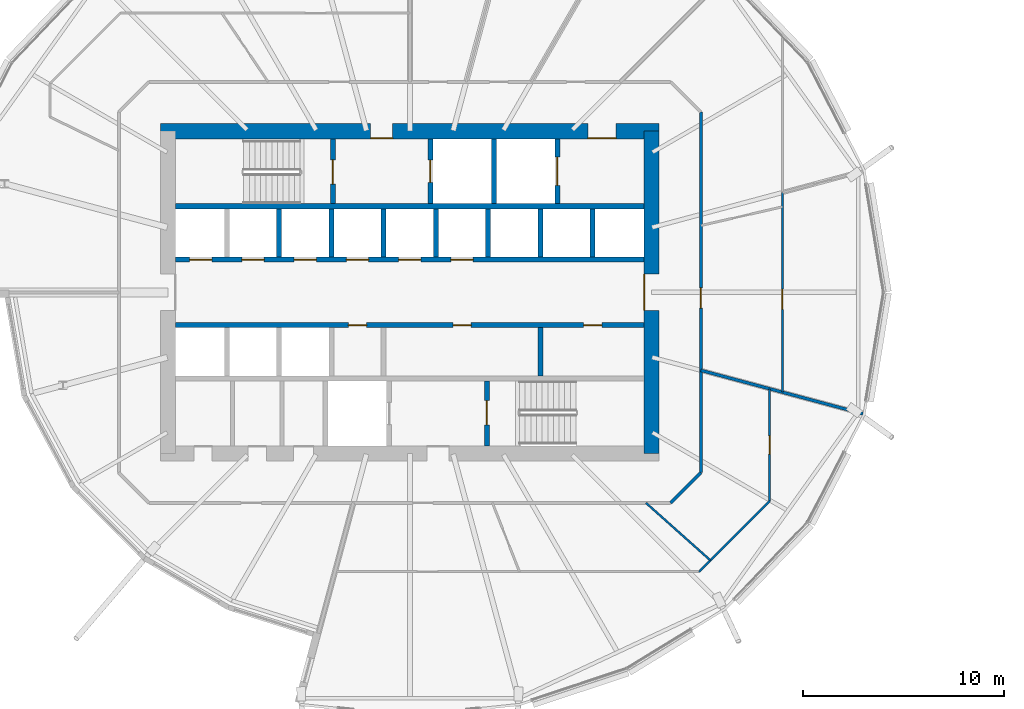
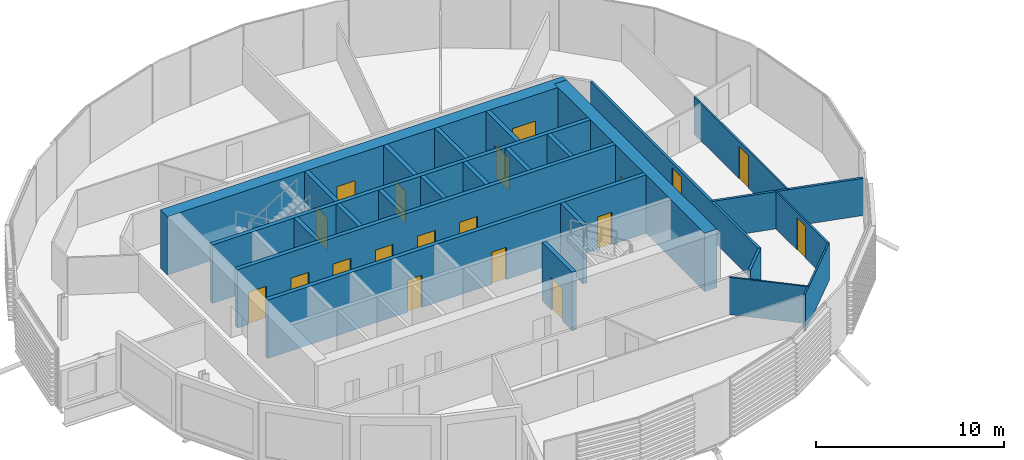
# One storey, part 21 of 39: 25 walls, 19 doors, 19 openings.
"""IFC4 building model written with IfcOpenShell, lengths in metres."""

from ifc_helpers import new_model, si_unit, direction, frame, frame_2d, origin, place, context, subcontext, project, spatial, rectangle, extrude, material, layer, layer_set, type_object, element, fill, save


model = new_model("IFC4")

# Units and contexts
model_context = context("Model", 3, precision=1e-05, world=origin(), true_north=direction((0.0, 1.0)))
body_context = subcontext(model_context, "Body", "Model", "MODEL_VIEW")
ifc_project = project(units=[si_unit("LENGTHUNIT", "METRE"), si_unit("AREAUNIT", "SQUARE_METRE"), si_unit("VOLUMEUNIT", "CUBIC_METRE"), si_unit("PLANEANGLEUNIT", "RADIAN"), si_unit("MASSUNIT", "GRAM", prefix="KILO")], contexts=[model_context])

# Site, building, storey
site_placement = place(None, origin())
site = spatial("IfcSite", under=ifc_project, at=site_placement, CompositionType="ELEMENT")
building_placement = place(site_placement, origin())
building = spatial("IfcBuilding", under=site, at=building_placement, Name="Rimbun Link Towers", CompositionType="ELEMENT")
storey_placement = place(building_placement, frame((0.0, 0.0, 96.800048828125)))
storey = spatial("IfcBuildingStorey", under=building, at=storey_placement, Name="L23", CompositionType="ELEMENT", Elevation=96.800048828125)

# Wall, openings, doors
ifc_material_1 = material(Name="Concrete C60/75", Category="concrete")
ifc_layer_1 = layer(ifc_material_1, 0.75)
ifc_layer_set_1 = layer_set([ifc_layer_1], Name="Core shear wall 750")
wall_type_1 = type_object("IfcWallType", Name="Core shear wall 750", PredefinedType="SHEAR", material=ifc_layer_set_1)
wall_1_placement = place(storey_placement, frame((-44.125, 8.0, 0.0), z_axis=(0.0, 0.0, 1.0), x_axis=(1.0, 0.0, 0.0)))
wall_1 = element("IfcWall", 1, at=wall_1_placement, inside=storey, type_object=wall_type_1, Name="L23 T1 core wall N", PredefinedType="SHEAR", context=body_context, shape_type="SweptSolid", body=[
    extrude(rectangle(XDim=24.75, YDim=0.75, at=frame_2d((12.375, 0.0))), origin(), (0.0, 0.0, 1.0), 3.800048828125),
])
opening_1_placement = place(wall_1_placement, frame((10.425048828125, 0.0, 0.0)))
opening_1 = element("IfcOpeningElement", 2, at=opening_1_placement, cuts=wall_1, Name="Opening C1DCF01N", PredefinedType="OPENING", context=body_context, shape_type="SweptSolid", body=[
    extrude(rectangle(XDim=1.10009765625, YDim=2.10009765625, at=frame_2d((0.550048828125, 1.050048828125))), frame((0.0, 0.385009765625, 0.0), z_axis=(0.0, -1.0, 0.0), x_axis=(1.0, 0.0, 0.0)), (0.0, 0.0, 1.0), 0.77001953125),
])
opening_2_placement = place(wall_1_placement, frame((21.21240234375, 0.0, 0.0)))
opening_2 = element("IfcOpeningElement", 3, at=opening_2_placement, cuts=wall_1, Name="Opening C1DSL02N", PredefinedType="OPENING", context=body_context, shape_type="SweptSolid", body=[
    extrude(rectangle(XDim=1.39990234375, YDim=2.10009765625, at=frame_2d((0.699951171875, 1.050048828125))), frame((0.0, 0.385009765625, 0.0), z_axis=(0.0, -1.0, 0.0), x_axis=(1.0, 0.0, 0.0)), (0.0, 0.0, 1.0), 0.77001953125),
])
ifc_material_2 = material(Name="Steel fire door set", Category="steel")
door_type_1 = type_object("IfcDoorType", Name="Core fire door single", OperationType="SINGLE_SWING_LEFT", PredefinedType="DOOR", material=ifc_material_2)
door_1_placement = place(opening_1_placement, origin())
door_1 = element("IfcDoor", 4, at=door_1_placement, inside=storey, type_object=door_type_1, Name="L23 T1 firefighting lobby n door", OperationType="SINGLE_SWING_LEFT", OverallHeight=2.10009765625, OverallWidth=1.10009765625, PredefinedType="DOOR", context=body_context, shape_type="SweptSolid", body=[
    extrude(rectangle(XDim=1.10009765625, YDim=2.10009765625, at=frame_2d((0.550048828125, 1.050048828125))), frame((0.0, -0.3251953125, 0.0), z_axis=(0.0, -1.0, 0.0), x_axis=(1.0, 0.0, 0.0)), (0.0, 0.0, 1.0), 0.050048828125),
])
fill(opening_1, door_1)
ifc_material_3 = material(Name="Steel fire door set", Category="steel")
door_type_2 = type_object("IfcDoorType", Name="Service lobby door double", OperationType="DOUBLE_DOOR_SINGLE_SWING", PredefinedType="DOOR", material=ifc_material_3)
door_2_placement = place(opening_2_placement, origin())
door_2 = element("IfcDoor", 5, at=door_2_placement, inside=storey, type_object=door_type_2, Name="L23 T1 service lobby door", OperationType="DOUBLE_DOOR_SINGLE_SWING", OverallHeight=2.10009765625, OverallWidth=1.39990234375, PredefinedType="DOOR", context=body_context, shape_type="SweptSolid", body=[
    extrude(rectangle(XDim=1.39990234375, YDim=2.10009765625, at=frame_2d((0.699951171875, 1.050048828125))), frame((0.0, -0.3251953125, 0.0), z_axis=(0.0, -1.0, 0.0), x_axis=(1.0, 0.0, 0.0)), (0.0, 0.0, 1.0), 0.050048828125),
])
fill(opening_2, door_2)

# Wall, opening, door
wall_2_placement = place(storey_placement, frame((-19.75, -8.0, 0.0), z_axis=(0.0, 0.0, 1.0), x_axis=(0.0, 1.0, 0.0)))
wall_2 = element("IfcWall", 6, at=wall_2_placement, inside=storey, type_object=wall_type_1, Name="L23 T1 core wall E", PredefinedType="SHEAR", context=body_context, shape_type="SweptSolid", body=[
    extrude(rectangle(XDim=16.0, YDim=0.75, at=frame_2d((8.0, 0.0))), origin(), (0.0, 0.0, 1.0), 3.800048828125),
])
opening_3_placement = place(wall_2_placement, frame((7.10009765625, 0.0, 0.0)))
opening_3 = element("IfcOpeningElement", 7, at=opening_3_placement, cuts=wall_2, Name="Opening C1DCL01E", PredefinedType="OPENING", context=body_context, shape_type="SweptSolid", body=[
    extrude(rectangle(XDim=1.800048828125, YDim=2.10009765625, at=frame_2d((0.89990234375, 1.050048828125))), frame((0.0, 0.385009765625, 0.0), z_axis=(0.0, -1.0, 0.0), x_axis=(1.0, 0.0, 0.0)), (0.0, 0.0, 1.0), 0.77001953125),
])
ifc_material_4 = material(Name="Steel fire door set", Category="steel")
door_type_3 = type_object("IfcDoorType", Name="Core lobby door double", OperationType="DOUBLE_DOOR_SINGLE_SWING", PredefinedType="DOOR", material=ifc_material_4)
door_3_placement = place(opening_3_placement, origin())
door_3 = element("IfcDoor", 8, at=door_3_placement, inside=storey, type_object=door_type_3, Name="L23 T1 lift lobby door", OperationType="DOUBLE_DOOR_SINGLE_SWING", OverallHeight=2.10009765625, OverallWidth=1.800048828125, PredefinedType="DOOR", context=body_context, shape_type="SweptSolid", body=[
    extrude(rectangle(XDim=1.800048828125, YDim=2.10009765625, at=frame_2d((0.89990234375, 1.050048828125))), frame((0.0, 0.375, 0.0), z_axis=(0.0, -1.0, 0.0), x_axis=(1.0, 0.0, 0.0)), (0.0, 0.0, 1.0), 0.050048828125),
])
fill(opening_3, door_3)

ifc_material_5 = material(Name="Plasterboard on steel stud, mineral wool", Category="steel")
ifc_layer_2 = layer(ifc_material_5, 0.14990234375)
ifc_layer_set_2 = layer_set([ifc_layer_2], Name="Corridor wall EI 30 150 mm")
wall_type_2 = type_object("IfcWallType", Name="Corridor wall EI 30 150 mm", PredefinedType="PARTITIONING", material=ifc_layer_set_2)
wall_3_placement = place(storey_placement, frame((-17.300048828125, 8.95166015625, 0.0), z_axis=(0.0, 0.0, 1.0), x_axis=(0.0, -1.0, 0.0)))
wall_3 = element("IfcWall", 9, at=wall_3_placement, inside=storey, type_object=wall_type_2, Name="Corridor wall EI 30 150 mm", PredefinedType="PARTITIONING", context=body_context, shape_type="SweptSolid", body=[
    extrude(rectangle(XDim=17.9033203125, YDim=0.14990234375, at=frame_2d((8.95166015625, 0.0))), origin(), (0.0, 0.0, 1.0), 2.419921875),
])
opening_4_placement = place(wall_3_placement, frame((8.72900390625, 0.0, 0.0)))
opening_4 = element("IfcOpeningElement", 10, at=opening_4_placement, cuts=wall_3, Name="Opening D01", PredefinedType="OPENING", context=body_context, shape_type="SweptSolid", body=[
    extrude(rectangle(XDim=1.0, YDim=2.10009765625, at=frame_2d((0.5, 1.050048828125))), frame((0.0, 0.0849609375, 0.0), z_axis=(0.0, -1.0, 0.0), x_axis=(1.0, 0.0, 0.0)), (0.0, 0.0, 1.0), 0.169921875),
])
ifc_material_6 = material(Name="Fire-resisting timber door leaf", Category="wood")
door_type_4 = type_object("IfcDoorType", Name="Fire door FD30S 1000", OperationType="NOTDEFINED", PredefinedType="DOOR", material=ifc_material_6)
door_4_placement = place(opening_4_placement, origin())
door_4 = element("IfcDoor", 11, at=door_4_placement, inside=storey, type_object=door_type_4, Name="Fire door FD30S 1000 to Reception", OperationType="SINGLE_SWING_RIGHT", OverallHeight=2.10009765625, OverallWidth=1.0, PredefinedType="DOOR", context=body_context, shape_type="SweptSolid", body=[
    extrude(rectangle(XDim=1.0, YDim=2.10009765625, at=frame_2d((0.5, 1.050048828125))), frame((0.0, 0.02490234375, 0.0), z_axis=(0.0, -1.0, 0.0), x_axis=(1.0, 0.0, 0.0)), (0.0, 0.0, 1.0), 0.050048828125),
])
fill(opening_4, door_4)

# Walls
wall_4_placement = place(storey_placement, frame((-18.79833984375, -10.449951171875, 0.0), z_axis=(0.0, 0.0, 1.0), x_axis=(0.707106781187, 0.707106781187, 0.0)))
element("IfcWall", 12, at=wall_4_placement, inside=storey, type_object=wall_type_2, Name="Corridor wall EI 30 150 mm", PredefinedType="PARTITIONING", context=body_context, shape_type="SweptSolid", body=[
    extrude(rectangle(XDim=2.118896484375, YDim=0.14990234375, at=frame_2d((1.0595703125, 0.0))), origin(), (0.0, 0.0, 1.0), 2.419921875),
])
ifc_material_7 = material(Name="Plasterboard on steel stud", Category="steel")
ifc_layer_3 = layer(ifc_material_7, 0.10009765625)
ifc_layer_set_3 = layer_set([ifc_layer_3], Name="Plasterboard partition 100 mm")
wall_type_3 = type_object("IfcWallType", Name="Plasterboard partition 100 mm", PredefinedType="PARTITIONING", material=ifc_layer_set_3)
wall_5_placement = place(storey_placement, frame((-16.8212890625, -13.3095703125, 0.0), z_axis=(0.0, 0.0, 1.0), x_axis=(-0.746427378028, 0.665466880716, 0.0)))
element("IfcWall", 13, at=wall_5_placement, inside=storey, type_object=wall_type_3, Name="Plasterboard partition 100 mm", PredefinedType="PARTITIONING", context=body_context, shape_type="SweptSolid", body=[
    extrude(rectangle(XDim=4.297119140625, YDim=0.10009765625, at=frame_2d((2.1484375, 0.0))), origin(), (0.0, 0.0, 1.0), 2.419921875),
])
wall_6_placement = place(storey_placement, frame((-17.381591796875, -13.8701171875, 0.0), z_axis=(0.0, 0.0, 1.0), x_axis=(0.707008174748, 0.707205373876, 0.0)))
element("IfcWall", 14, at=wall_6_placement, inside=storey, type_object=wall_type_3, Name="Plasterboard partition 100 mm", PredefinedType="PARTITIONING", context=body_context, shape_type="SweptSolid", body=[
    extrude(rectangle(XDim=4.9521484375, YDim=0.10009765625, at=frame_2d((2.47607421875, 0.0))), origin(), (0.0, 0.0, 1.0), 2.419921875),
])

# Wall, opening, door
wall_7_placement = place(storey_placement, frame((-13.8798828125, -10.368408203125, 0.0), z_axis=(0.0, 0.0, 1.0), x_axis=(0.0, 1.0, 0.0)))
wall_7 = element("IfcWall", 15, at=wall_7_placement, inside=storey, type_object=wall_type_3, Name="Plasterboard partition 100 mm", PredefinedType="PARTITIONING", context=body_context, shape_type="SweptSolid", body=[
    extrude(rectangle(XDim=5.580322265625, YDim=0.10009765625, at=frame_2d((2.7900390625, 0.0))), origin(), (0.0, 0.0, 1.0), 2.419921875),
])
opening_5_placement = place(wall_7_placement, frame((2.340087890625, 0.0, 0.0)))
opening_5 = element("IfcOpeningElement", 16, at=opening_5_placement, cuts=wall_7, Name="Opening D04", PredefinedType="OPENING", context=body_context, shape_type="SweptSolid", body=[
    extrude(rectangle(XDim=0.89990234375, YDim=2.10009765625, at=frame_2d((0.449951171875, 1.050048828125))), frame((0.0, 0.06005859375, 0.0), z_axis=(0.0, -1.0, 0.0), x_axis=(1.0, 0.0, 0.0)), (0.0, 0.0, 1.0), 0.1201171875),
])
ifc_material_8 = material(Name="Timber door leaf", Category="wood")
door_type_5 = type_object("IfcDoorType", Name="Flush door 900", OperationType="NOTDEFINED", PredefinedType="DOOR", material=ifc_material_8)
door_5_placement = place(opening_5_placement, origin())
door_5 = element("IfcDoor", 17, at=door_5_placement, inside=storey, type_object=door_type_5, Name="Flush door 900 to Print room", OperationType="SINGLE_SWING_LEFT", OverallHeight=2.10009765625, OverallWidth=0.89990234375, PredefinedType="DOOR", context=body_context, shape_type="SweptSolid", body=[
    extrude(rectangle(XDim=0.89990234375, YDim=2.10009765625, at=frame_2d((0.449951171875, 1.050048828125))), frame((0.0, 0.02490234375, 0.0), z_axis=(0.0, -1.0, 0.0), x_axis=(1.0, 0.0, 0.0)), (0.0, 0.0, 1.0), 0.050048828125),
])
fill(opening_5, door_5)

wall_8_placement = place(storey_placement, frame((-13.25, 4.95703125, 0.0), z_axis=(0.0, 0.0, 1.0), x_axis=(0.0, -1.0, 0.0)))
wall_8 = element("IfcWall", 18, at=wall_8_placement, inside=storey, type_object=wall_type_3, Name="Plasterboard partition 100 mm", PredefinedType="PARTITIONING", context=body_context, shape_type="SweptSolid", body=[
    extrude(rectangle(XDim=9.9140625, YDim=0.10009765625, at=frame_2d((4.95703125, 0.0))), origin(), (0.0, 0.0, 1.0), 2.419921875),
])
opening_6_placement = place(wall_8_placement, frame((4.797119140625, 0.0, 0.0)))
opening_6 = element("IfcOpeningElement", 19, at=opening_6_placement, cuts=wall_8, Name="Opening D03", PredefinedType="OPENING", context=body_context, shape_type="SweptSolid", body=[
    extrude(rectangle(XDim=1.0, YDim=2.10009765625, at=frame_2d((0.5, 1.050048828125))), frame((0.0, 0.06005859375, 0.0), z_axis=(0.0, -1.0, 0.0), x_axis=(1.0, 0.0, 0.0)), (0.0, 0.0, 1.0), 0.1201171875),
])
ifc_material_9 = material(Name="Timber door leaf", Category="wood")
door_type_6 = type_object("IfcDoorType", Name="Flush door 1000", OperationType="NOTDEFINED", PredefinedType="DOOR", material=ifc_material_9)
door_6_placement = place(opening_6_placement, origin())
door_6 = element("IfcDoor", 20, at=door_6_placement, inside=storey, type_object=door_type_6, Name="Flush door 1000 to Boardroom", OperationType="SINGLE_SWING_LEFT", OverallHeight=2.10009765625, OverallWidth=1.0, PredefinedType="DOOR", context=body_context, shape_type="SweptSolid", body=[
    extrude(rectangle(XDim=1.0, YDim=2.10009765625, at=frame_2d((0.5, 1.050048828125))), frame((0.0, 0.02490234375, 0.0), z_axis=(0.0, -1.0, 0.0), x_axis=(1.0, 0.0, 0.0)), (0.0, 0.0, 1.0), 0.050048828125),
])
fill(opening_6, door_6)

# Wall
ifc_material_10 = material(Name="Concrete C60/75", Category="concrete")
ifc_layer_4 = layer(ifc_material_10, 0.25)
ifc_layer_set_4 = layer_set([ifc_layer_4], Name="Shaft wall 250")
wall_type_4 = type_object("IfcWallType", Name="Shaft wall 250", PredefinedType="SHEAR", material=ifc_layer_set_4)
wall_9_placement = place(storey_placement, frame((-43.375, 4.27490234375, 0.0), z_axis=(0.0, 0.0, 1.0), x_axis=(1.0, 0.0, 0.0)))
element("IfcWall", 21, at=wall_9_placement, inside=storey, type_object=wall_type_4, Name="L23 T1 core wall BN", PredefinedType="SHEAR", context=body_context, shape_type="SweptSolid", body=[
    extrude(rectangle(XDim=23.25, YDim=0.25, at=frame_2d((11.625, 0.0))), origin(), (0.0, 0.0, 1.0), 3.800048828125),
])

# Wall, openings, doors
wall_10_placement = place(storey_placement, frame((-43.375, 1.625, 0.0), z_axis=(0.0, 0.0, 1.0), x_axis=(1.0, 0.0, 0.0)))
wall_10 = element("IfcWall", 22, at=wall_10_placement, inside=storey, type_object=wall_type_4, Name="L23 T1 core wall FN", PredefinedType="SHEAR", context=body_context, shape_type="SweptSolid", body=[
    extrude(rectangle(XDim=23.25, YDim=0.25, at=frame_2d((11.625, 0.0))), origin(), (0.0, 0.0, 1.0), 3.800048828125),
])
opening_7_placement = place(wall_10_placement, frame((0.697265625, 0.0, 0.0)))
opening_7 = element("IfcOpeningElement", 23, at=opening_7_placement, cuts=wall_10, Name="Opening LD-T1-LR1", PredefinedType="OPENING", context=body_context, shape_type="SweptSolid", body=[
    extrude(rectangle(XDim=1.10009765625, YDim=2.10009765625, at=frame_2d((0.550048828125, 1.050048828125))), frame((0.0, 0.135009765625, 0.0), z_axis=(0.0, -1.0, 0.0), x_axis=(1.0, 0.0, 0.0)), (0.0, 0.0, 1.0), 0.27001953125),
])
opening_8_placement = place(wall_10_placement, frame((3.291748046875, 0.0, 0.0)))
opening_8 = element("IfcOpeningElement", 24, at=opening_8_placement, cuts=wall_10, Name="Opening LD-T1-LR2", PredefinedType="OPENING", context=body_context, shape_type="SweptSolid", body=[
    extrude(rectangle(XDim=1.10009765625, YDim=2.10009765625, at=frame_2d((0.550048828125, 1.050048828125))), frame((0.0, 0.135009765625, 0.0), z_axis=(0.0, -1.0, 0.0), x_axis=(1.0, 0.0, 0.0)), (0.0, 0.0, 1.0), 0.27001953125),
])
opening_9_placement = place(wall_10_placement, frame((5.885986328125, 0.0, 0.0)))
opening_9 = element("IfcOpeningElement", 25, at=opening_9_placement, cuts=wall_10, Name="Opening LD-T1-LR3", PredefinedType="OPENING", context=body_context, shape_type="SweptSolid", body=[
    extrude(rectangle(XDim=1.10009765625, YDim=2.10009765625, at=frame_2d((0.550048828125, 1.050048828125))), frame((0.0, 0.135009765625, 0.0), z_axis=(0.0, -1.0, 0.0), x_axis=(1.0, 0.0, 0.0)), (0.0, 0.0, 1.0), 0.27001953125),
])
opening_10_placement = place(wall_10_placement, frame((8.480712890625, 0.0, 0.0)))
opening_10 = element("IfcOpeningElement", 26, at=opening_10_placement, cuts=wall_10, Name="Opening LD-T1-LR4", PredefinedType="OPENING", context=body_context, shape_type="SweptSolid", body=[
    extrude(rectangle(XDim=1.10009765625, YDim=2.10009765625, at=frame_2d((0.550048828125, 1.050048828125))), frame((0.0, 0.135009765625, 0.0), z_axis=(0.0, -1.0, 0.0), x_axis=(1.0, 0.0, 0.0)), (0.0, 0.0, 1.0), 0.27001953125),
])
opening_11_placement = place(wall_10_placement, frame((11.074951171875, 0.0, 0.0)))
opening_11 = element("IfcOpeningElement", 27, at=opening_11_placement, cuts=wall_10, Name="Opening LD-T1-LR5", PredefinedType="OPENING", context=body_context, shape_type="SweptSolid", body=[
    extrude(rectangle(XDim=1.10009765625, YDim=2.10009765625, at=frame_2d((0.550048828125, 1.050048828125))), frame((0.0, 0.135009765625, 0.0), z_axis=(0.0, -1.0, 0.0), x_axis=(1.0, 0.0, 0.0)), (0.0, 0.0, 1.0), 0.27001953125),
])
opening_12_placement = place(wall_10_placement, frame((13.66943359375, 0.0, 0.0)))
opening_12 = element("IfcOpeningElement", 28, at=opening_12_placement, cuts=wall_10, Name="Opening LD-T1-LR6", PredefinedType="OPENING", context=body_context, shape_type="SweptSolid", body=[
    extrude(rectangle(XDim=1.10009765625, YDim=2.10009765625, at=frame_2d((0.550048828125, 1.050048828125))), frame((0.0, 0.135009765625, 0.0), z_axis=(0.0, -1.0, 0.0), x_axis=(1.0, 0.0, 0.0)), (0.0, 0.0, 1.0), 0.27001953125),
])
ifc_material_11 = material(Name="Stainless steel grade 316", Category="steel")
door_type_7 = type_object("IfcDoorType", Name="Lift landing door", OperationType="DOUBLE_DOOR_SLIDING", PredefinedType="DOOR", material=ifc_material_11)
door_7_placement = place(opening_7_placement, origin())
door_7 = element("IfcDoor", 29, at=door_7_placement, inside=storey, type_object=door_type_7, Name="L23 T1 lift LR1 landing door", OperationType="DOUBLE_DOOR_SLIDING", OverallHeight=2.10009765625, OverallWidth=1.10009765625, PredefinedType="DOOR", context=body_context, shape_type="SweptSolid", body=[
    extrude(rectangle(XDim=1.10009765625, YDim=2.10009765625, at=frame_2d((0.550048828125, 1.050048828125))), frame((0.0, 0.02490234375, 0.0), z_axis=(0.0, -1.0, 0.0), x_axis=(1.0, 0.0, 0.0)), (0.0, 0.0, 1.0), 0.050048828125),
])
fill(opening_7, door_7)
door_8_placement = place(opening_8_placement, origin())
door_8 = element("IfcDoor", 30, at=door_8_placement, inside=storey, type_object=door_type_7, Name="L23 T1 lift LR2 landing door", OperationType="DOUBLE_DOOR_SLIDING", OverallHeight=2.10009765625, OverallWidth=1.10009765625, PredefinedType="DOOR", context=body_context, shape_type="SweptSolid", body=[
    extrude(rectangle(XDim=1.10009765625, YDim=2.10009765625, at=frame_2d((0.550048828125, 1.050048828125))), frame((0.0, 0.02490234375, 0.0), z_axis=(0.0, -1.0, 0.0), x_axis=(1.0, 0.0, 0.0)), (0.0, 0.0, 1.0), 0.050048828125),
])
fill(opening_8, door_8)
door_9_placement = place(opening_9_placement, origin())
door_9 = element("IfcDoor", 31, at=door_9_placement, inside=storey, type_object=door_type_7, Name="L23 T1 lift LR3 landing door", OperationType="DOUBLE_DOOR_SLIDING", OverallHeight=2.10009765625, OverallWidth=1.10009765625, PredefinedType="DOOR", context=body_context, shape_type="SweptSolid", body=[
    extrude(rectangle(XDim=1.10009765625, YDim=2.10009765625, at=frame_2d((0.550048828125, 1.050048828125))), frame((0.0, 0.02490234375, 0.0), z_axis=(0.0, -1.0, 0.0), x_axis=(1.0, 0.0, 0.0)), (0.0, 0.0, 1.0), 0.050048828125),
])
fill(opening_9, door_9)
door_10_placement = place(opening_10_placement, origin())
door_10 = element("IfcDoor", 32, at=door_10_placement, inside=storey, type_object=door_type_7, Name="L23 T1 lift LR4 landing door", OperationType="DOUBLE_DOOR_SLIDING", OverallHeight=2.10009765625, OverallWidth=1.10009765625, PredefinedType="DOOR", context=body_context, shape_type="SweptSolid", body=[
    extrude(rectangle(XDim=1.10009765625, YDim=2.10009765625, at=frame_2d((0.550048828125, 1.050048828125))), frame((0.0, 0.02490234375, 0.0), z_axis=(0.0, -1.0, 0.0), x_axis=(1.0, 0.0, 0.0)), (0.0, 0.0, 1.0), 0.050048828125),
])
fill(opening_10, door_10)
door_11_placement = place(opening_11_placement, origin())
door_11 = element("IfcDoor", 33, at=door_11_placement, inside=storey, type_object=door_type_7, Name="L23 T1 lift LR5 landing door", OperationType="DOUBLE_DOOR_SLIDING", OverallHeight=2.10009765625, OverallWidth=1.10009765625, PredefinedType="DOOR", context=body_context, shape_type="SweptSolid", body=[
    extrude(rectangle(XDim=1.10009765625, YDim=2.10009765625, at=frame_2d((0.550048828125, 1.050048828125))), frame((0.0, 0.02490234375, 0.0), z_axis=(0.0, -1.0, 0.0), x_axis=(1.0, 0.0, 0.0)), (0.0, 0.0, 1.0), 0.050048828125),
])
fill(opening_11, door_11)
door_12_placement = place(opening_12_placement, origin())
door_12 = element("IfcDoor", 34, at=door_12_placement, inside=storey, type_object=door_type_7, Name="L23 T1 lift LR6 landing door", OperationType="DOUBLE_DOOR_SLIDING", OverallHeight=2.10009765625, OverallWidth=1.10009765625, PredefinedType="DOOR", context=body_context, shape_type="SweptSolid", body=[
    extrude(rectangle(XDim=1.10009765625, YDim=2.10009765625, at=frame_2d((0.550048828125, 1.050048828125))), frame((0.0, 0.02490234375, 0.0), z_axis=(0.0, -1.0, 0.0), x_axis=(1.0, 0.0, 0.0)), (0.0, 0.0, 1.0), 0.050048828125),
])
fill(opening_12, door_12)

wall_11_placement = place(storey_placement, frame((-43.375, -1.625, 0.0), z_axis=(0.0, 0.0, 1.0), x_axis=(1.0, 0.0, 0.0)))
wall_11 = element("IfcWall", 35, at=wall_11_placement, inside=storey, type_object=wall_type_4, Name="L23 T1 core wall FS", PredefinedType="SHEAR", context=body_context, shape_type="SweptSolid", body=[
    extrude(rectangle(XDim=23.25, YDim=0.25, at=frame_2d((11.625, 0.0))), origin(), (0.0, 0.0, 1.0), 3.800048828125),
])
opening_13_placement = place(wall_11_placement, frame((8.58056640625, 0.0, 0.0)))
opening_13 = element("IfcOpeningElement", 36, at=opening_13_placement, cuts=wall_11, Name="Opening C1DRS01FS", PredefinedType="OPENING", context=body_context, shape_type="SweptSolid", body=[
    extrude(rectangle(XDim=0.89990234375, YDim=2.10009765625, at=frame_2d((0.449951171875, 1.050048828125))), frame((0.0, 0.135009765625, 0.0), z_axis=(0.0, -1.0, 0.0), x_axis=(1.0, 0.0, 0.0)), (0.0, 0.0, 1.0), 0.27001953125),
])
opening_14_placement = place(wall_11_placement, frame((13.769287109375, 0.0, 0.0)))
opening_14 = element("IfcOpeningElement", 37, at=opening_14_placement, cuts=wall_11, Name="Opening C1DRS02FS", PredefinedType="OPENING", context=body_context, shape_type="SweptSolid", body=[
    extrude(rectangle(XDim=0.89990234375, YDim=2.10009765625, at=frame_2d((0.449951171875, 1.050048828125))), frame((0.0, 0.135009765625, 0.0), z_axis=(0.0, -1.0, 0.0), x_axis=(1.0, 0.0, 0.0)), (0.0, 0.0, 1.0), 0.27001953125),
])
opening_15_placement = place(wall_11_placement, frame((20.255615234375, 0.0, 0.0)))
opening_15 = element("IfcOpeningElement", 38, at=opening_15_placement, cuts=wall_11, Name="Opening C1DRS03FS", PredefinedType="OPENING", context=body_context, shape_type="SweptSolid", body=[
    extrude(rectangle(XDim=0.89990234375, YDim=2.10009765625, at=frame_2d((0.449951171875, 1.050048828125))), frame((0.0, 0.135009765625, 0.0), z_axis=(0.0, -1.0, 0.0), x_axis=(1.0, 0.0, 0.0)), (0.0, 0.0, 1.0), 0.27001953125),
])
ifc_material_12 = material(Name="Steel fire door set", Category="steel")
door_type_8 = type_object("IfcDoorType", Name="Core riser door", OperationType="SINGLE_SWING_LEFT", PredefinedType="DOOR", material=ifc_material_12)
door_13_placement = place(opening_13_placement, origin())
door_13 = element("IfcDoor", 39, at=door_13_placement, inside=storey, type_object=door_type_8, Name="L23 T1 stationery store door", OperationType="SINGLE_SWING_RIGHT", OverallHeight=2.10009765625, OverallWidth=0.89990234375, PredefinedType="DOOR", context=body_context, shape_type="SweptSolid", body=[
    extrude(rectangle(XDim=0.89990234375, YDim=2.10009765625, at=frame_2d((0.449951171875, 1.050048828125))), frame((0.0, 0.02490234375, 0.0), z_axis=(0.0, -1.0, 0.0), x_axis=(1.0, 0.0, 0.0)), (0.0, 0.0, 1.0), 0.050048828125),
])
fill(opening_13, door_13)
door_14_placement = place(opening_14_placement, origin())
door_14 = element("IfcDoor", 40, at=door_14_placement, inside=storey, type_object=door_type_8, Name="L23 T1 records store door", OperationType="SINGLE_SWING_LEFT", OverallHeight=2.10009765625, OverallWidth=0.89990234375, PredefinedType="DOOR", context=body_context, shape_type="SweptSolid", body=[
    extrude(rectangle(XDim=0.89990234375, YDim=2.10009765625, at=frame_2d((0.449951171875, 1.050048828125))), frame((0.0, 0.02490234375, 0.0), z_axis=(0.0, -1.0, 0.0), x_axis=(1.0, 0.0, 0.0)), (0.0, 0.0, 1.0), 0.050048828125),
])
fill(opening_14, door_14)
door_15_placement = place(opening_15_placement, origin())
door_15 = element("IfcDoor", 41, at=door_15_placement, inside=storey, type_object=door_type_8, Name="L23 T1 print room door", OperationType="SINGLE_SWING_LEFT", OverallHeight=2.10009765625, OverallWidth=0.89990234375, PredefinedType="DOOR", context=body_context, shape_type="SweptSolid", body=[
    extrude(rectangle(XDim=0.89990234375, YDim=2.10009765625, at=frame_2d((0.449951171875, 1.050048828125))), frame((0.0, 0.02490234375, 0.0), z_axis=(0.0, -1.0, 0.0), x_axis=(1.0, 0.0, 0.0)), (0.0, 0.0, 1.0), 0.050048828125),
])
fill(opening_15, door_15)

# Walls
for number, where, z_axis, x_axis, name in (
    (42, (-38.236083984375, 1.75, 0.0), (0.0, 0.0, 1.0), (0.0, 1.0, 0.0), "L23 T1 core wall DN1"),
    (43, (-35.6416015625, 1.75, 0.0), (0.0, 0.0, 1.0), (0.0, 1.0, 0.0), "L23 T1 core wall DN2"),
    (44, (-33.047119140625, 1.75, 0.0), (0.0, 0.0, 1.0), (0.0, 1.0, 0.0), "L23 T1 core wall DN3"),
    (45, (-30.452880859375, 1.75, 0.0), (0.0, 0.0, 1.0), (0.0, 1.0, 0.0), "L23 T1 core wall DN4"),
    (46, (-27.8583984375, 1.75, 0.0), (0.0, 0.0, 1.0), (0.0, 1.0, 0.0), "L23 T1 core wall DN5"),
    (47, (-25.263916015625, 1.75, 0.0), (0.0, 0.0, 1.0), (0.0, 1.0, 0.0), "L23 T1 core wall DN6"),
    (48, (-22.66943359375, 1.75, 0.0), (0.0, 0.0, 1.0), (0.0, 1.0, 0.0), "L23 T1 core wall DN7"),
    (49, (-25.263916015625, -4.14990234375, 0.0), (0.0, 0.0, 1.0), (0.0, 1.0, 0.0), "L23 T1 core wall DS6"),
):
    element("IfcWall", number, at=place(storey_placement, frame(where, z_axis=z_axis, x_axis=x_axis)), inside=storey, type_object=wall_type_4, Name=name, PredefinedType="SHEAR", context=body_context, shape_type="SweptSolid", body=[
        extrude(rectangle(XDim=2.39990234375, YDim=0.25, at=frame_2d((1.199951171875, 0.0))), origin(), (0.0, 0.0, 1.0), 3.800048828125),
    ])

# Wall, opening, door
wall_12_placement = place(storey_placement, frame((-35.574951171875, 4.39990234375, 0.0), z_axis=(0.0, 0.0, 1.0), x_axis=(0.0, 1.0, 0.0)))
wall_12 = element("IfcWall", 50, at=wall_12_placement, inside=storey, type_object=wall_type_4, Name="L23 T1 core wall A1", PredefinedType="SHEAR", context=body_context, shape_type="SweptSolid", body=[
    extrude(rectangle(XDim=3.22509765625, YDim=0.25, at=frame_2d((1.612548828125, 0.0))), origin(), (0.0, 0.0, 1.0), 3.800048828125),
])
opening_16_placement = place(wall_12_placement, frame((0.97509765625, 0.0, 0.0)))
opening_16 = element("IfcOpeningElement", 51, at=opening_16_placement, cuts=wall_12, Name="Opening C1DST01A1", PredefinedType="OPENING", context=body_context, shape_type="SweptSolid", body=[
    extrude(rectangle(XDim=1.199951171875, YDim=2.10009765625, at=frame_2d((0.60009765625, 1.050048828125))), frame((0.0, 0.135009765625, 0.0), z_axis=(0.0, -1.0, 0.0), x_axis=(1.0, 0.0, 0.0)), (0.0, 0.0, 1.0), 0.27001953125),
])
ifc_material_13 = material(Name="Steel fire door set", Category="steel")
door_type_9 = type_object("IfcDoorType", Name="Stair door", OperationType="SINGLE_SWING_LEFT", PredefinedType="DOOR", material=ifc_material_13)
door_16_placement = place(opening_16_placement, origin())
door_16 = element("IfcDoor", 52, at=door_16_placement, inside=storey, type_object=door_type_9, Name="L23 T1 stair a door", OperationType="SINGLE_SWING_RIGHT", OverallHeight=2.10009765625, OverallWidth=1.199951171875, PredefinedType="DOOR", context=body_context, shape_type="SweptSolid", body=[
    extrude(rectangle(XDim=1.199951171875, YDim=2.10009765625, at=frame_2d((0.60009765625, 1.050048828125))), frame((0.0, 0.02490234375, 0.0), z_axis=(0.0, -1.0, 0.0), x_axis=(1.0, 0.0, 0.0)), (0.0, 0.0, 1.0), 0.050048828125),
])
fill(opening_16, door_16)

wall_13_placement = place(storey_placement, frame((-30.72509765625, 4.39990234375, 0.0), z_axis=(0.0, 0.0, 1.0), x_axis=(0.0, 1.0, 0.0)))
wall_13 = element("IfcWall", 53, at=wall_13_placement, inside=storey, type_object=wall_type_4, Name="L23 T1 core wall A2", PredefinedType="SHEAR", context=body_context, shape_type="SweptSolid", body=[
    extrude(rectangle(XDim=3.22509765625, YDim=0.25, at=frame_2d((1.612548828125, 0.0))), origin(), (0.0, 0.0, 1.0), 3.800048828125),
])
opening_17_placement = place(wall_13_placement, frame((1.0625, 0.0, 0.0)))
opening_17 = element("IfcOpeningElement", 54, at=opening_17_placement, cuts=wall_13, Name="Opening LD-T1-FF1", PredefinedType="OPENING", context=body_context, shape_type="SweptSolid", body=[
    extrude(rectangle(XDim=1.10009765625, YDim=2.10009765625, at=frame_2d((0.550048828125, 1.050048828125))), frame((0.0, 0.135009765625, 0.0), z_axis=(0.0, -1.0, 0.0), x_axis=(1.0, 0.0, 0.0)), (0.0, 0.0, 1.0), 0.27001953125),
])
door_17_placement = place(opening_17_placement, origin())
door_17 = element("IfcDoor", 55, at=door_17_placement, inside=storey, type_object=door_type_7, Name="L23 T1 lift FF1 landing door", OperationType="DOUBLE_DOOR_SLIDING", OverallHeight=2.10009765625, OverallWidth=1.10009765625, PredefinedType="DOOR", context=body_context, shape_type="SweptSolid", body=[
    extrude(rectangle(XDim=1.10009765625, YDim=2.10009765625, at=frame_2d((0.550048828125, 1.050048828125))), frame((0.0, 0.02490234375, 0.0), z_axis=(0.0, -1.0, 0.0), x_axis=(1.0, 0.0, 0.0)), (0.0, 0.0, 1.0), 0.050048828125),
])
fill(opening_17, door_17)

# Wall
wall_14_placement = place(storey_placement, frame((-27.574951171875, 4.39990234375, 0.0), z_axis=(0.0, 0.0, 1.0), x_axis=(0.0, 1.0, 0.0)))
element("IfcWall", 56, at=wall_14_placement, inside=storey, type_object=wall_type_4, Name="L23 T1 core wall A3", PredefinedType="SHEAR", context=body_context, shape_type="SweptSolid", body=[
    extrude(rectangle(XDim=3.22509765625, YDim=0.25, at=frame_2d((1.612548828125, 0.0))), origin(), (0.0, 0.0, 1.0), 3.800048828125),
])

# Wall, opening, door
wall_15_placement = place(storey_placement, frame((-24.425048828125, 4.39990234375, 0.0), z_axis=(0.0, 0.0, 1.0), x_axis=(0.0, 1.0, 0.0)))
wall_15 = element("IfcWall", 57, at=wall_15_placement, inside=storey, type_object=wall_type_4, Name="L23 T1 core wall A4", PredefinedType="SHEAR", context=body_context, shape_type="SweptSolid", body=[
    extrude(rectangle(XDim=3.22509765625, YDim=0.25, at=frame_2d((1.612548828125, 0.0))), origin(), (0.0, 0.0, 1.0), 3.800048828125),
])
opening_18_placement = place(wall_15_placement, frame((0.91259765625, 0.0, 0.0)))
opening_18 = element("IfcOpeningElement", 58, at=opening_18_placement, cuts=wall_15, Name="Opening LD-T1-GL1", PredefinedType="OPENING", context=body_context, shape_type="SweptSolid", body=[
    extrude(rectangle(XDim=1.39990234375, YDim=2.10009765625, at=frame_2d((0.699951171875, 1.050048828125))), frame((0.0, 0.135009765625, 0.0), z_axis=(0.0, -1.0, 0.0), x_axis=(1.0, 0.0, 0.0)), (0.0, 0.0, 1.0), 0.27001953125),
])
ifc_material_14 = material(Name="Stainless steel grade 316", Category="steel")
door_type_10 = type_object("IfcDoorType", Name="Goods lift landing door", OperationType="DOUBLE_DOOR_SLIDING", PredefinedType="DOOR", material=ifc_material_14)
door_18_placement = place(opening_18_placement, origin())
door_18 = element("IfcDoor", 59, at=door_18_placement, inside=storey, type_object=door_type_10, Name="L23 T1 lift GL1 landing door", OperationType="DOUBLE_DOOR_SLIDING", OverallHeight=2.10009765625, OverallWidth=1.39990234375, PredefinedType="DOOR", context=body_context, shape_type="SweptSolid", body=[
    extrude(rectangle(XDim=1.39990234375, YDim=2.10009765625, at=frame_2d((0.699951171875, 1.050048828125))), frame((0.0, 0.02490234375, 0.0), z_axis=(0.0, -1.0, 0.0), x_axis=(1.0, 0.0, 0.0)), (0.0, 0.0, 1.0), 0.050048828125),
])
fill(opening_18, door_18)

wall_16_placement = place(storey_placement, frame((-27.925048828125, -4.39990234375, 0.0), z_axis=(0.0, 0.0, 1.0), x_axis=(0.0, -1.0, 0.0)))
wall_16 = element("IfcWall", 60, at=wall_16_placement, inside=storey, type_object=wall_type_4, Name="L23 T1 core wall B1", PredefinedType="SHEAR", context=body_context, shape_type="SweptSolid", body=[
    extrude(rectangle(XDim=3.22509765625, YDim=0.25, at=frame_2d((1.612548828125, 0.0))), origin(), (0.0, 0.0, 1.0), 3.800048828125),
])
opening_19_placement = place(wall_16_placement, frame((0.97509765625, 0.0, 0.0)))
opening_19 = element("IfcOpeningElement", 61, at=opening_19_placement, cuts=wall_16, Name="Opening C1DST01B1", PredefinedType="OPENING", context=body_context, shape_type="SweptSolid", body=[
    extrude(rectangle(XDim=1.199951171875, YDim=2.10009765625, at=frame_2d((0.60009765625, 1.050048828125))), frame((0.0, 0.135009765625, 0.0), z_axis=(0.0, -1.0, 0.0), x_axis=(1.0, 0.0, 0.0)), (0.0, 0.0, 1.0), 0.27001953125),
])
door_19_placement = place(opening_19_placement, origin())
door_19 = element("IfcDoor", 62, at=door_19_placement, inside=storey, type_object=door_type_9, Name="L23 T1 stair b door", OperationType="SINGLE_SWING_RIGHT", OverallHeight=2.10009765625, OverallWidth=1.199951171875, PredefinedType="DOOR", context=body_context, shape_type="SweptSolid", body=[
    extrude(rectangle(XDim=1.199951171875, YDim=2.10009765625, at=frame_2d((0.60009765625, 1.050048828125))), frame((0.0, 0.02490234375, 0.0), z_axis=(0.0, -1.0, 0.0), x_axis=(1.0, 0.0, 0.0)), (0.0, 0.0, 1.0), 0.050048828125),
])
fill(opening_19, door_19)

# Wall
ifc_material_15 = material(Name="Plasterboard on steel stud, mineral wool", Category="steel")
ifc_layer_5 = layer(ifc_material_15, 0.14990234375)
ifc_layer_set_5 = layer_set([ifc_layer_5], Name="Tenancy separation wall EI 60 150 mm")
wall_type_5 = type_object("IfcWallType", Name="Tenancy separation wall EI 60 150 mm", PredefinedType="PARTITIONING", material=ifc_layer_set_5)
wall_17_placement = place(storey_placement, frame((-17.300048828125, -3.871826171875, 0.0), z_axis=(0.0, 0.0, 1.0), x_axis=(0.965926091045, -0.258818057017, 0.0)))
element("IfcWall", 63, at=wall_17_placement, inside=storey, type_object=wall_type_5, Name="Tenancy separation wall EI 60 150 mm", PredefinedType="PARTITIONING", context=body_context, shape_type="SweptSolid", body=[
    extrude(rectangle(XDim=8.3369140625, YDim=0.14990234375, at=frame_2d((4.16845703125, 0.0))), origin(), (0.0, 0.0, 1.0), 2.419921875),
])

save(model, "model.ifc")
